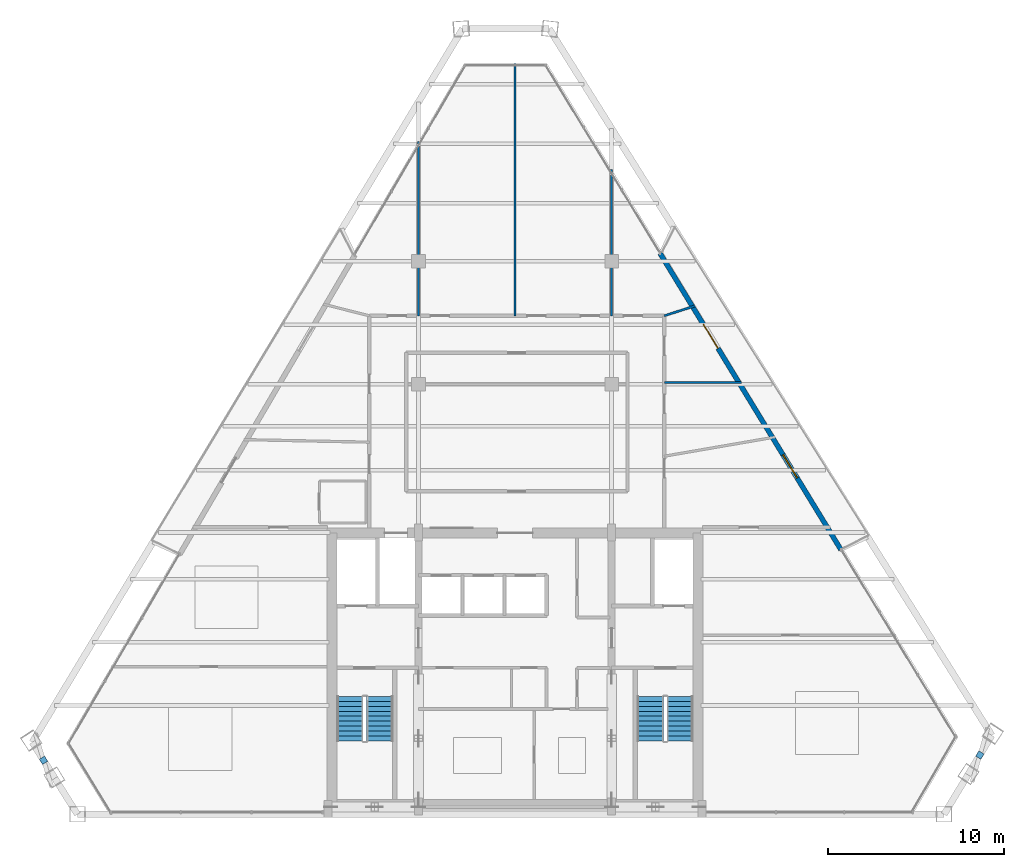
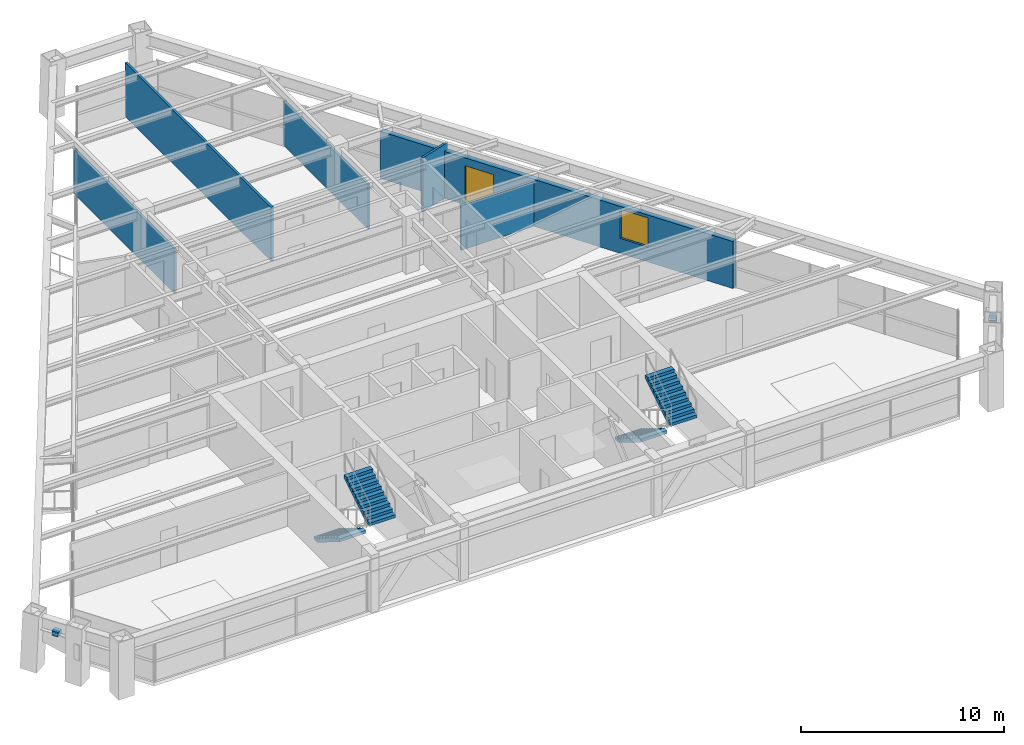
# One storey, part 11 of 13: 6 walls, 4 stair flights, 2 discrete accessories, 1 door, 1 window, 2 openings, 2 elements without a shape of their own.
"""IFC4 building model written with IfcOpenShell, lengths in metres."""

import ifcopenshell
import ifcopenshell.guid

model = None  # the IFC model being written
_history = None  # IfcOwnerHistory: only IFC2X3 demands one
_inside = {}  # id of a spatial element -> (the spatial element, [elements in it])
_under = {}  # id of a project, library or spatial element -> (it, [spatial elements below it])
_declared = {}  # id of a project -> (the project, [libraries it declares])
_typed = {}  # id of a type object -> (the type object, [elements of that type])
_made_of = {}  # id of a material, layer set ... -> (it, [elements and type objects made of it])


def new_model(schema):
    """Start an empty IFC model of exactly this schema.

    Asked for "IFC4X3", IfcOpenShell would pick the latest addendum, in which some entities
    have other attributes; the version numbers below select the first issue.
    IFC2X3 requires an IfcOwnerHistory on every rooted entity: one is made here for all.
    """
    global model, _history
    if schema == "IFC4X3":
        model = ifcopenshell.file(schema_version=(4, 3, 0, 0))
    else:
        model = ifcopenshell.file(schema=schema)
    _inside.clear()
    _under.clear()
    _declared.clear()
    _typed.clear()
    _made_of.clear()
    _history = None
    if model.schema == "IFC2X3":
        org = make("IfcOrganization", Name="unknown")
        user = make(
            "IfcPersonAndOrganization",
            ThePerson=make("IfcPerson", FamilyName="unknown"),
            TheOrganization=org,
        )
        app = make(
            "IfcApplication",
            ApplicationDeveloper=org,
            Version="unknown",
            ApplicationFullName="unknown",
            ApplicationIdentifier="unknown",
        )
        _history = make(
            "IfcOwnerHistory",
            OwningUser=user,
            OwningApplication=app,
            ChangeAction="ADDED",
            CreationDate=0,
        )
    return model


def make(cls, **values):
    """One entity of the class cls with the attributes given. An attribute that is None is left unset."""
    return model.create_entity(
        cls, **{name: value for name, value in values.items() if value is not None}
    )


def rooted(cls, **values):
    """An entity with a GlobalId (a new one), such as an element, a storey or a relation."""
    return make(cls, GlobalId=ifcopenshell.guid.new(), OwnerHistory=_history, **values)


def si_unit(unit_type, name, prefix=None):
    """IfcSIUnit, for example si_unit("LENGTHUNIT", "METRE", prefix="MILLI")."""
    return make("IfcSIUnit", UnitType=unit_type, Prefix=prefix, Name=name)


def assignment(units):
    """IfcUnitAssignment: the units of a project."""
    return None if units is None else make("IfcUnitAssignment", Units=units)


def point(xyz):
    """IfcCartesianPoint."""
    return None if xyz is None else make("IfcCartesianPoint", Coordinates=xyz)


def direction(xyz):
    """IfcDirection."""
    return None if xyz is None else make("IfcDirection", DirectionRatios=xyz)


def frame(location, z_axis=None, x_axis=None):
    """IfcAxis2Placement3D, a coordinate frame: its origin and axes. An axis left out is left unset."""
    return make(
        "IfcAxis2Placement3D",
        Location=point(location),
        Axis=direction(z_axis),
        RefDirection=direction(x_axis),
    )


def frame_2d(location, x_axis=None):
    """IfcAxis2Placement2D, a coordinate frame in the plane: its origin and x axis."""
    return make(
        "IfcAxis2Placement2D", Location=point(location), RefDirection=direction(x_axis)
    )


def origin():
    """The frame at (0, 0, 0) with its axes left unset."""
    return frame((0.0, 0.0, 0.0))


def origin_2d():
    """The frame at (0, 0) in the plane with its x axis left unset."""
    return frame_2d((0.0, 0.0))


def place(relative_to, where):
    """IfcLocalPlacement: puts the frame where relative to a parent placement (None: the world)."""
    return make(
        "IfcLocalPlacement", PlacementRelTo=relative_to, RelativePlacement=where
    )


def context(
    kind, dimensions, precision=None, world=None, true_north=None, identifier=None
):
    """IfcGeometricRepresentationContext, for example the 3D "Model" context."""
    return make(
        "IfcGeometricRepresentationContext",
        ContextIdentifier=identifier,
        ContextType=kind,
        CoordinateSpaceDimension=dimensions,
        Precision=precision,
        WorldCoordinateSystem=world,
        TrueNorth=true_north,
    )


def subcontext(parent, identifier, kind, view, scale=None):
    """IfcGeometricRepresentationSubContext, for example "Body" below "Model"."""
    return make(
        "IfcGeometricRepresentationSubContext",
        ContextIdentifier=identifier,
        ContextType=kind,
        ParentContext=parent,
        TargetScale=scale,
        TargetView=view,
    )


def project(units=None, contexts=None):
    """IfcProject with its units and contexts."""
    return rooted(
        "IfcProject",
        Name="project",
        RepresentationContexts=contexts,
        UnitsInContext=assignment(units),
    )


def spatial(cls, under=None, at=None, **own):
    """A site, building, storey or space (cls), placed at a placement, below another one or the project."""
    s = rooted(cls, ObjectPlacement=at, **own)
    if under is not None:
        _under.setdefault(under.id(), (under, []))[1].append(s)
    return s


def polyline(points):
    """IfcPolyline through the points."""
    return make("IfcPolyline", Points=[point(p) for p in points])


def profile(cls, at=None, kind="AREA", **sizes):
    """A parametric profile (cls). Its sizes go by their IFC names, for example OverallWidth=200.0."""
    return make(cls, ProfileType=kind, Position=at, **sizes)


def rectangle(**sizes):
    """IfcRectangleProfileDef."""
    return profile("IfcRectangleProfileDef", **sizes)


def outline(outer, holes=None, kind="AREA"):
    """IfcArbitraryClosedProfileDef: a profile drawn as a closed curve; with holes, ...WithVoids."""
    if holes is None:
        return make("IfcArbitraryClosedProfileDef", ProfileType=kind, OuterCurve=outer)
    return make(
        "IfcArbitraryProfileDefWithVoids",
        ProfileType=kind,
        OuterCurve=outer,
        InnerCurves=holes,
    )


def extrude(swept, where, along, depth):
    """IfcExtrudedAreaSolid: the profile swept, set in the frame where, extruded along a direction by depth."""
    return make(
        "IfcExtrudedAreaSolid",
        SweptArea=swept,
        Position=where,
        ExtrudedDirection=direction(along),
        Depth=depth,
    )


def shape(context_of_items, identifier, shape_type, items):
    """IfcShapeRepresentation: the items that make up one representation, for example the "Body"."""
    return make(
        "IfcShapeRepresentation",
        ContextOfItems=context_of_items,
        RepresentationIdentifier=identifier,
        RepresentationType=shape_type,
        Items=items,
    )


def source(mapping_origin, context_of_items, identifier, shape_type, items):
    """IfcRepresentationMap: a shape defined once, which mapped items show again and again."""
    return make(
        "IfcRepresentationMap",
        MappingOrigin=mapping_origin,
        MappedRepresentation=shape(context_of_items, identifier, shape_type, items),
    )


def transform(
    local_origin,
    x_axis=None,
    y_axis=None,
    z_axis=None,
    scale=None,
    scale2=None,
    scale3=None,
    uniform=True,
):
    """IfcCartesianTransformationOperator3D, or its non-uniform kind. x_axis, y_axis, z_axis: its Axis1, 2, 3."""
    if uniform:
        return make(
            "IfcCartesianTransformationOperator3D",
            Axis1=direction(x_axis),
            Axis2=direction(y_axis),
            LocalOrigin=point(local_origin),
            Scale=scale,
            Axis3=direction(z_axis),
        )
    return make(
        "IfcCartesianTransformationOperator3DnonUniform",
        Axis1=direction(x_axis),
        Axis2=direction(y_axis),
        LocalOrigin=point(local_origin),
        Scale=scale,
        Axis3=direction(z_axis),
        Scale2=scale2,
        Scale3=scale3,
    )


def mapped(mapping_source, mapping_target):
    """IfcMappedItem: shows the shape of a source again, moved by a transform."""
    return make(
        "IfcMappedItem", MappingSource=mapping_source, MappingTarget=mapping_target
    )


def material(Name=None, Category=None):
    """IfcMaterial."""
    return make("IfcMaterial", Name=Name, Category=Category)


def layer(
    of_material, thickness, ventilated=None, Name=None, Category=None, Priority=None
):
    """IfcMaterialLayer: one layer of a wall or slab, of a material (None: an air gap)."""
    return make(
        "IfcMaterialLayer",
        Material=of_material,
        LayerThickness=thickness,
        IsVentilated=ventilated,
        Name=Name,
        Category=Category,
        Priority=Priority,
    )


def layer_set(layers, Name=None):
    """IfcMaterialLayerSet."""
    return make("IfcMaterialLayerSet", MaterialLayers=layers, LayerSetName=Name)


def made_of(thing, what):
    """Note that an element or type object is made of a material, layer set ...; save() writes the relation."""
    if what is not None:
        _made_of.setdefault(what.id(), (what, []))[1].append(thing)
    return thing


def type_object(cls, material=None, **own):
    """A type object (cls), such as IfcWallType, which elements share."""
    return made_of(rooted(cls, **own), material)


def type_shapes(of_type, sources):
    """Give a type object the sources (RepresentationMaps) that its elements show as mapped items."""
    of_type.RepresentationMaps = sources


def element(
    cls,
    number,
    at=None,
    inside=None,
    cuts=None,
    type_object=None,
    material=None,
    context=None,
    identifier="Body",
    shape_type=None,
    held_by="IfcProductDefinitionShape",
    body=None,
    shapes=None,
    **own,
):
    """One element of the class cls, such as IfcWall. Its Tag is "e" and its number.

    at: its placement. inside: the storey or other place that contains it. cuts: it is an
    opening in that element (IfcRelVoidsElement). A single representation is given by context,
    identifier, shape_type and body (its items); several are given by shapes. held_by: the class
    of the entity that holds the representations. save() writes the other relations.
    """
    e = rooted(cls, Tag="e%d" % number, ObjectPlacement=at, **own)
    if body is not None:
        shapes = [shape(context, identifier, shape_type, body)]
    if shapes is not None:
        e.Representation = make(held_by, Representations=shapes)
    if inside is not None:
        _inside.setdefault(inside.id(), (inside, []))[1].append(e)
    if cuts is not None:
        rooted(
            "IfcRelVoidsElement", RelatingBuildingElement=cuts, RelatedOpeningElement=e
        )
    if type_object is not None:
        _typed.setdefault(type_object.id(), (type_object, []))[1].append(e)
    return made_of(e, material)


def fill(opening, filler):
    """IfcRelFillsElement: the door or window that sits in an opening."""
    return rooted(
        "IfcRelFillsElement",
        RelatingOpeningElement=opening,
        RelatedBuildingElement=filler,
    )


def aggregate(whole, parts):
    """IfcRelAggregates: a whole, such as a stair, and the parts it consists of."""
    return rooted("IfcRelAggregates", RelatingObject=whole, RelatedObjects=parts)


def save(model, path):
    """Write the relations noted so far, then the file.

    IfcRelAggregates (storeys below a building ...), IfcRelContainedInSpatialStructure (elements
    in a storey), IfcRelDefinesByType, IfcRelAssociatesMaterial and IfcRelDeclares: one each for
    every whole, place, type object, material and project.
    """
    for whole, parts in _under.values():
        aggregate(whole, parts)
    for where, things in _inside.values():
        rooted(
            "IfcRelContainedInSpatialStructure",
            RelatedElements=things,
            RelatingStructure=where,
        )
    for kind, things in _typed.values():
        rooted("IfcRelDefinesByType", RelatedObjects=things, RelatingType=kind)
    for what, things in _made_of.values():
        rooted("IfcRelAssociatesMaterial", RelatedObjects=things, RelatingMaterial=what)
    for by, libraries in _declared.values():
        rooted("IfcRelDeclares", RelatingContext=by, RelatedDefinitions=libraries)
    model.write(path)


model = new_model("IFC4")

# Units and contexts
model_context = context("Model", 3, precision=1e-05, world=origin(), true_north=direction((0.0, 1.0)))
body_context = subcontext(model_context, "Body", "Model", "MODEL_VIEW")
ifc_project = project(units=[si_unit("LENGTHUNIT", "METRE"), si_unit("AREAUNIT", "SQUARE_METRE"), si_unit("VOLUMEUNIT", "CUBIC_METRE"), si_unit("PLANEANGLEUNIT", "RADIAN"), si_unit("MASSUNIT", "GRAM", prefix="KILO")], contexts=[model_context])

# Site, building, storey
site_placement = place(None, origin())
site = spatial("IfcSite", under=ifc_project, at=site_placement, CompositionType="ELEMENT")
building_placement = place(site_placement, origin())
building = spatial("IfcBuilding", under=site, at=building_placement, Name="Varnakhor Terracotta Tower", CompositionType="ELEMENT")
storey_placement = place(building_placement, frame((0.0, 0.0, 251.050048828125)))
storey = spatial("IfcBuildingStorey", under=building, at=storey_placement, Name="L65", CompositionType="ELEMENT", Elevation=251.050048828125)

# Wall, openings, door, window
ifc_material_1 = material(Name="Extruded Architectural Terracotta Assembly", Category="masonry")
ifc_layer_1 = layer(ifc_material_1, 0.280029296875, Name="Extruded Architectural Terracotta Assembly")
ifc_layer_set_1 = layer_set([ifc_layer_1], Name="Extruded Architectural Terracotta Assembly")
wall_type_1 = type_object("IfcWallType", Name="WAL-EXT-TERRACOTTA-280", PredefinedType="SOLIDWALL", material=ifc_layer_set_1)
wall_1_placement = place(storey_placement, frame((8.25634765625, 31.96142578125, 0.0), z_axis=(0.0, 0.0, 1.0), x_axis=(0.521016032817, -0.853546890069, 0.0)))
wall_1 = element("IfcWall", 1, at=wall_1_placement, inside=storey, type_object=wall_type_1, Name="L65 E Loggia Insulated Terracotta Wall", PredefinedType="SOLIDWALL", context=body_context, shape_type="SweptSolid", body=[
    extrude(rectangle(XDim=19.777587890625, YDim=0.280029296875, at=frame_2d((9.888671875, 0.0))), origin(), (0.0, 0.0, 1.0), 2.820068359375),
])
opening_1_placement = place(wall_1_placement, frame((4.74658203125, 0.0, 0.0)))
opening_1 = element("IfcOpeningElement", 2, at=opening_1_placement, cuts=wall_1, Name="Opening DR-62", PredefinedType="OPENING", context=body_context, shape_type="SweptSolid", body=[
    extrude(rectangle(XDim=1.60009765625, YDim=2.35009765625, at=frame_2d((0.800048828125, 1.175048828125))), frame((0.0, 0.14990234375, 0.0), z_axis=(0.0, -1.0, 0.0), x_axis=(1.0, 0.0, 0.0)), (0.0, 0.0, 1.0), 0.300048828125),
])
opening_2_placement = place(wall_1_placement, frame((13.44873046875, 0.0, 0.89990234375)))
opening_2 = element("IfcOpeningElement", 3, at=opening_2_placement, cuts=wall_1, Name="Opening WN-59", PredefinedType="OPENING", context=body_context, shape_type="SweptSolid", body=[
    extrude(rectangle(XDim=1.550048828125, YDim=1.75, at=frame_2d((0.77490234375, 0.875))), frame((0.0, 0.14990234375, 0.0), z_axis=(0.0, -1.0, 0.0), x_axis=(1.0, 0.0, 0.0)), (0.0, 0.0, 1.0), 0.300048828125),
])
ifc_material_2 = material(Name="Thermally Broken Sliding Glass Loggia Door", Category="glass")
door_type = type_object("IfcDoorType", Name="DR-EXT-LOGGIA-1600X2350", OperationType="NOTDEFINED", PredefinedType="DOOR", material=ifc_material_2)
shared_shape_1 = source(origin(), body_context, "Body", "SweptSolid", [
    extrude(rectangle(XDim=1.60009765625, YDim=2.35009765625, at=frame_2d((0.800048828125, 1.175048828125))), frame((0.0, 0.02490234375, 0.0), z_axis=(0.0, -1.0, 0.0), x_axis=(1.0, 0.0, 0.0)), (0.0, 0.0, 1.0), 0.050048828125),
])
type_shapes(door_type, [shared_shape_1])
door_placement = place(opening_1_placement, origin())
door = element("IfcDoor", 4, at=door_placement, inside=storey, type_object=door_type, Name="L65 E Recessed Loggia Sliding Door", OperationType="SLIDING_TO_RIGHT", OverallHeight=2.35009765625, OverallWidth=1.60009765625, PredefinedType="DOOR", context=body_context, shape_type="MappedRepresentation", body=[
    mapped(shared_shape_1, transform((0.0, 0.0, 0.0), scale=1.0)),
])
fill(opening_1, door)
ifc_material_3 = material(Name="Solar-Control Low-E Insulated Glass Unit", Category="glass")
window_type = type_object("IfcWindowType", Name="WIN-HTL-1500X1950", PartitioningType="SINGLE_PANEL", PredefinedType="WINDOW", material=ifc_material_3)
shared_shape_2 = source(origin(), body_context, "Body", "SweptSolid", [
    extrude(rectangle(XDim=1.550048828125, YDim=1.75, at=frame_2d((0.77490234375, 0.875))), frame((0.0, 0.030029296875, 0.0), z_axis=(0.0, -1.0, 0.0), x_axis=(1.0, 0.0, 0.0)), (0.0, 0.0, 1.0), 0.06005859375),
])
type_shapes(window_type, [shared_shape_2])
window_placement = place(opening_2_placement, origin())
window = element("IfcWindow", 5, at=window_placement, inside=storey, type_object=window_type, Name="L65 E Facet Punched Window", OverallHeight=1.75, OverallWidth=1.550048828125, PartitioningType="SINGLE_PANEL", PredefinedType="WINDOW", context=body_context, shape_type="MappedRepresentation", body=[
    mapped(shared_shape_2, transform((0.0, 0.0, 0.0), scale=1.0)),
])
fill(opening_2, window)

# Walls
ifc_material_4 = material(Name="Acoustic Hotel Room Partition", Category="gypsum")
ifc_layer_2 = layer(ifc_material_4, 0.1298828125, Name="Acoustic Hotel Room Partition")
ifc_layer_set_2 = layer_set([ifc_layer_2], Name="Acoustic Hotel Room Partition")
wall_type_2 = type_object("IfcWallType", Name="WAL-PART-130", PredefinedType="PARTITIONING", material=ifc_layer_set_2)
wall_2_placement = place(storey_placement, frame((8.5, 28.39990234375, 0.0), z_axis=(0.0, 0.0, 1.0), x_axis=(0.952084104076, 0.305836326758, 0.0)))
element("IfcWall", 6, at=wall_2_placement, inside=storey, type_object=wall_type_2, Name="L65 North East Suite South Wall", PredefinedType="PARTITIONING", context=body_context, shape_type="SweptSolid", body=[
    extrude(rectangle(XDim=1.828857421875, YDim=0.1298828125, at=frame_2d((0.91455078125, 0.0))), origin(), (0.0, 0.0, 1.0), 3.23193359375),
])
wall_3_placement = place(storey_placement, frame((-5.5, 28.39990234375, 0.0), z_axis=(0.0, 0.0, 1.0), x_axis=(0.0, 1.0, 0.0)))
element("IfcWall", 7, at=wall_3_placement, inside=storey, type_object=wall_type_2, Name="L65 North West Column Wall", PredefinedType="PARTITIONING", context=body_context, shape_type="SweptSolid", body=[
    extrude(rectangle(XDim=9.91357421875, YDim=0.1298828125, at=frame_2d((4.956787109375, 0.0))), origin(), (0.0, 0.0, 1.0), 2.682861328125),
])
wall_4_placement = place(storey_placement, frame((5.5, 28.39990234375, 0.0), z_axis=(0.0, 0.0, 1.0), x_axis=(0.0, 1.0, 0.0)))
element("IfcWall", 8, at=wall_4_placement, inside=storey, type_object=wall_type_2, Name="L65 North East Column Wall", PredefinedType="PARTITIONING", context=body_context, shape_type="SweptSolid", body=[
    extrude(rectangle(XDim=8.32666015625, YDim=0.1298828125, at=frame_2d((4.163330078125, 0.0))), origin(), (0.0, 0.0, 1.0), 2.682861328125),
])
wall_5_placement = place(storey_placement, frame((0.0, 28.39990234375, 0.0), z_axis=(0.0, 0.0, 1.0), x_axis=(0.0, 1.0, 0.0)))
element("IfcWall", 9, at=wall_5_placement, inside=storey, type_object=wall_type_2, Name="L65 North Suite Split 2", PredefinedType="PARTITIONING", context=body_context, shape_type="SweptSolid", body=[
    extrude(rectangle(XDim=14.366943359375, YDim=0.1298828125, at=frame_2d((7.18359375, 0.0))), origin(), (0.0, 0.0, 1.0), 3.23193359375),
])
wall_6_placement = place(storey_placement, frame((8.5, 24.60009765625, 0.0), z_axis=(0.0, 0.0, 1.0), x_axis=(1.0, 0.0, 0.0)))
element("IfcWall", 10, at=wall_6_placement, inside=storey, type_object=wall_type_2, Name="L65 East Key Cut 2", PredefinedType="PARTITIONING", context=body_context, shape_type="SweptSolid", body=[
    extrude(rectangle(XDim=4.402099609375, YDim=0.1298828125, at=frame_2d((2.201171875, 0.0))), origin(), (0.0, 0.0, 1.0), 2.682861328125),
])

# Stair, stair flights
ifc_material_5 = material(Name="Concrete C40/50", Category="concrete")
stair_type = type_object("IfcStairType", Name="STR-CORE-HOTEL-1500", PredefinedType="HALF_TURN_STAIR", material=ifc_material_5)
stair_1_placement = place(storey_placement, origin())
stair_1 = element("IfcStair", 11, at=stair_1_placement, inside=storey, type_object=stair_type, Name="L65 Core Exit Stair ST-1", PredefinedType="HALF_TURN_STAIR")
stair_flight_type = type_object("IfcStairFlightType", Name="FLT-HOTEL-1500", PredefinedType="STRAIGHT", material=ifc_material_5)
stair_flight_1_placement = place(storey_placement, frame((-9.39990234375, 6.7099609375, 0.0), z_axis=(0.0, 0.0, 1.0), x_axis=(0.0, -1.0, 0.0)))
stair_flight_1 = element("IfcStairFlight", 12, at=stair_flight_1_placement, type_object=stair_flight_type, Name="ST-1 flight 1", NumberOfRisers=10, NumberOfTreads=9, PredefinedType="STRAIGHT", RiserHeight=0.1725, TreadLength=0.28, context=body_context, shape_type="SweptSolid", body=[
    extrude(outline(polyline([(0.0, 0.0), (0.0, 0.172607421875), (0.280029296875, 0.172607421875), (0.280029296875, 0.344970703125), (0.56005859375, 0.344970703125), (0.56005859375, 0.517578125), (0.840087890625, 0.517578125), (0.840087890625, 0.68994140625), (1.1201171875, 0.68994140625), (1.1201171875, 0.862548828125), (1.39990234375, 0.862548828125), (1.39990234375, 1.034912109375), (1.679931640625, 1.034912109375), (1.679931640625, 1.20751953125), (1.9599609375, 1.20751953125), (1.9599609375, 1.3798828125), (2.239990234375, 1.3798828125), (2.239990234375, 1.552490234375), (2.52001953125, 1.552490234375), (2.52001953125, 1.72509765625), (2.52001953125, 1.36474609375), (0.304931640625, 0.0), (0.0, 0.0)])), frame((0.0, 0.75, 0.0), z_axis=(0.0, -1.0, 0.0), x_axis=(1.0, 0.0, 0.0)), (0.0, 0.0, 1.0), 1.5),
])
stair_flight_2_placement = place(storey_placement, frame((-7.699951171875, 4.18994140625, 1.724853515625), z_axis=(0.0, 0.0, 1.0), x_axis=(0.0, 1.0, 0.0)))
stair_flight_2 = element("IfcStairFlight", 13, at=stair_flight_2_placement, type_object=stair_flight_type, Name="ST-1 flight 2", NumberOfRisers=10, NumberOfTreads=9, PredefinedType="STRAIGHT", RiserHeight=0.1725, TreadLength=0.28, context=body_context, shape_type="SweptSolid", body=[
    extrude(outline(polyline([(0.0, 0.0), (0.0, 0.172607421875), (0.280029296875, 0.172607421875), (0.280029296875, 0.344970703125), (0.56005859375, 0.344970703125), (0.56005859375, 0.517578125), (0.840087890625, 0.517578125), (0.840087890625, 0.68994140625), (1.1201171875, 0.68994140625), (1.1201171875, 0.862548828125), (1.39990234375, 0.862548828125), (1.39990234375, 1.034912109375), (1.679931640625, 1.034912109375), (1.679931640625, 1.20751953125), (1.9599609375, 1.20751953125), (1.9599609375, 1.3798828125), (2.239990234375, 1.3798828125), (2.239990234375, 1.552490234375), (2.52001953125, 1.552490234375), (2.52001953125, 1.72509765625), (2.52001953125, 1.36474609375), (0.304931640625, 0.0), (0.0, 0.0)])), frame((0.0, 0.75, 0.0), z_axis=(0.0, -1.0, 0.0), x_axis=(1.0, 0.0, 0.0)), (0.0, 0.0, 1.0), 1.5),
])
aggregate(stair_1, [stair_flight_1, stair_flight_2])

stair_2_placement = place(storey_placement, origin())
stair_2 = element("IfcStair", 14, at=stair_2_placement, inside=storey, type_object=stair_type, Name="L65 Core Exit Stair ST-2", PredefinedType="HALF_TURN_STAIR")
stair_flight_3_placement = place(storey_placement, frame((7.699951171875, 6.7099609375, 0.0), z_axis=(0.0, 0.0, 1.0), x_axis=(0.0, -1.0, 0.0)))
stair_flight_3 = element("IfcStairFlight", 15, at=stair_flight_3_placement, type_object=stair_flight_type, Name="ST-2 flight 1", NumberOfRisers=10, NumberOfTreads=9, PredefinedType="STRAIGHT", RiserHeight=0.1725, TreadLength=0.28, context=body_context, shape_type="SweptSolid", body=[
    extrude(outline(polyline([(0.0, 0.0), (0.0, 0.172607421875), (0.280029296875, 0.172607421875), (0.280029296875, 0.344970703125), (0.56005859375, 0.344970703125), (0.56005859375, 0.517578125), (0.840087890625, 0.517578125), (0.840087890625, 0.68994140625), (1.1201171875, 0.68994140625), (1.1201171875, 0.862548828125), (1.39990234375, 0.862548828125), (1.39990234375, 1.034912109375), (1.679931640625, 1.034912109375), (1.679931640625, 1.20751953125), (1.9599609375, 1.20751953125), (1.9599609375, 1.3798828125), (2.239990234375, 1.3798828125), (2.239990234375, 1.552490234375), (2.52001953125, 1.552490234375), (2.52001953125, 1.72509765625), (2.52001953125, 1.36474609375), (0.304931640625, 0.0), (0.0, 0.0)])), frame((0.0, 0.75, 0.0), z_axis=(0.0, -1.0, 0.0), x_axis=(1.0, 0.0, 0.0)), (0.0, 0.0, 1.0), 1.5),
])
stair_flight_4_placement = place(storey_placement, frame((9.39990234375, 4.18994140625, 1.724853515625), z_axis=(0.0, 0.0, 1.0), x_axis=(0.0, 1.0, 0.0)))
stair_flight_4 = element("IfcStairFlight", 16, at=stair_flight_4_placement, type_object=stair_flight_type, Name="ST-2 flight 2", NumberOfRisers=10, NumberOfTreads=9, PredefinedType="STRAIGHT", RiserHeight=0.1725, TreadLength=0.28, context=body_context, shape_type="SweptSolid", body=[
    extrude(outline(polyline([(0.0, 0.0), (0.0, 0.172607421875), (0.280029296875, 0.172607421875), (0.280029296875, 0.344970703125), (0.56005859375, 0.344970703125), (0.56005859375, 0.517578125), (0.840087890625, 0.517578125), (0.840087890625, 0.68994140625), (1.1201171875, 0.68994140625), (1.1201171875, 0.862548828125), (1.39990234375, 0.862548828125), (1.39990234375, 1.034912109375), (1.679931640625, 1.034912109375), (1.679931640625, 1.20751953125), (1.9599609375, 1.20751953125), (1.9599609375, 1.3798828125), (2.239990234375, 1.3798828125), (2.239990234375, 1.552490234375), (2.52001953125, 1.552490234375), (2.52001953125, 1.72509765625), (2.52001953125, 1.36474609375), (0.304931640625, 0.0), (0.0, 0.0)])), frame((0.0, 0.75, 0.0), z_axis=(0.0, -1.0, 0.0), x_axis=(1.0, 0.0, 0.0)), (0.0, 0.0, 1.0), 1.5),
])
aggregate(stair_2, [stair_flight_3, stair_flight_4])

# Discrete accessories
ifc_material_6 = material(Name="Stainless Steel Fixing Bracket", Category="steel")
discrete_accessory_type = type_object("IfcDiscreteAccessoryType", Name="BRACKET-TERRACOTTA-SCREEN", PredefinedType="BRACKET", material=ifc_material_6)
shared_shape_3 = source(origin(), body_context, "Body", "SweptSolid", [
    extrude(rectangle(XDim=0.35009765625, YDim=0.35009765625, at=origin_2d()), origin(), (0.0, 0.0, 1.0), 0.280029296875),
])
type_shapes(discrete_accessory_type, [shared_shape_3])
for number, where, z_axis, x_axis, name in (
    (17, (26.47802734375, 3.376953125, 2.3369140625), (0.0, 0.0, 1.0), (0.516548273468, 0.856258069263, 0.0), "L65 E Screen Fixing Bracket"),
    (18, (-26.857177734375, 3.080322265625, 2.3369140625), (0.0, 0.0, 1.0), (0.530925374529, -0.847418578201, 0.0), "L65 W Screen Fixing Bracket"),
):
    element("IfcDiscreteAccessory", number, at=place(storey_placement, frame(where, z_axis=z_axis, x_axis=x_axis)), inside=storey, type_object=discrete_accessory_type, Name=name, PredefinedType="BRACKET", context=body_context, shape_type="MappedRepresentation", body=[
        mapped(shared_shape_3, transform((0.0, 0.0, 0.0), scale=1.0)),
    ])

save(model, "model.ifc")
